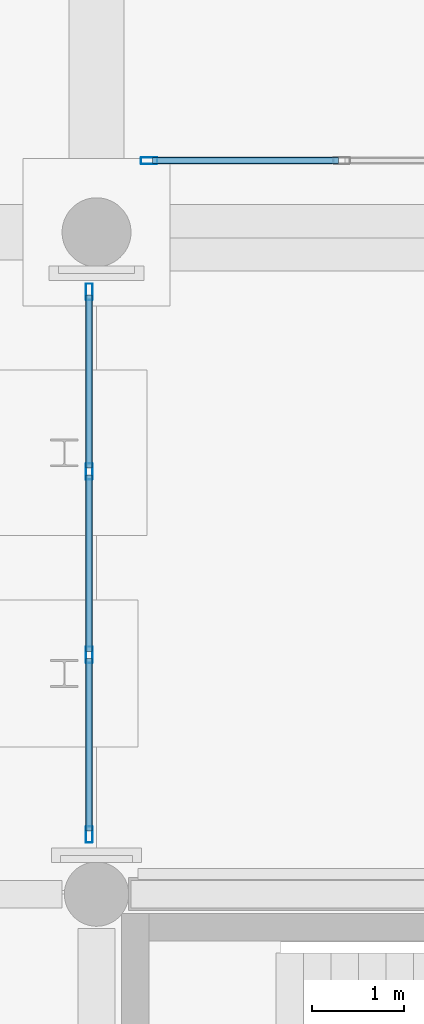
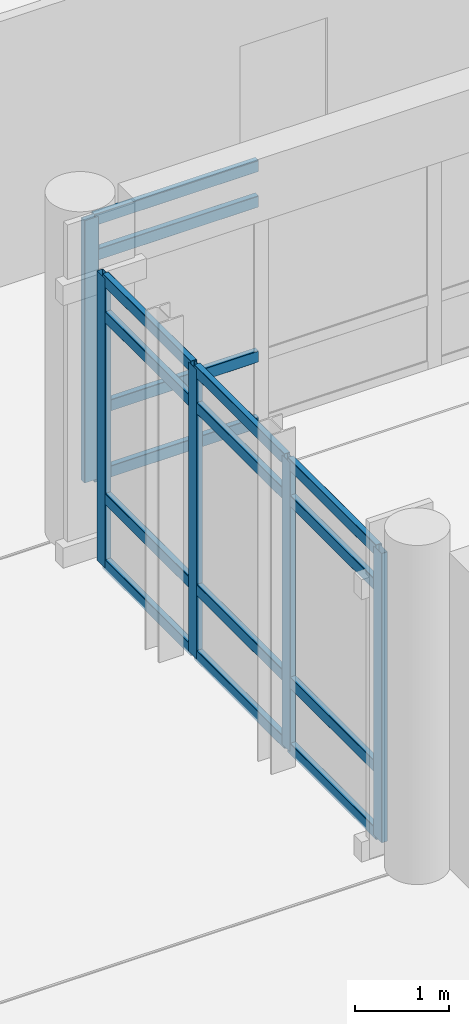
# One storey, part 88 of 196: 21 members, 2 elements without a shape of their own.
"""IFC4 building model written with IfcOpenShell, lengths in metres."""

from ifc_helpers import new_model, si_unit, direction, frame, origin, origin_2d, place, context, subcontext, project, spatial, hollow_rectangle, extrude, material, layer, layer_set, material_profile, profile_set, type_object, element, aggregate, save


model = new_model("IFC4")

# Units and contexts
model_context = context("Model", 3, precision=1e-05, world=origin(), true_north=direction((0.0, 1.0)))
body_context = subcontext(model_context, "Body", "Model", "MODEL_VIEW")
ifc_project = project(units=[si_unit("LENGTHUNIT", "METRE"), si_unit("AREAUNIT", "SQUARE_METRE"), si_unit("VOLUMEUNIT", "CUBIC_METRE"), si_unit("PLANEANGLEUNIT", "RADIAN"), si_unit("MASSUNIT", "GRAM", prefix="KILO")], contexts=[model_context])

# Site, building, storey
site_placement = place(None, origin())
site = spatial("IfcSite", under=ifc_project, at=site_placement, CompositionType="ELEMENT")
building_placement = place(site_placement, origin())
building = spatial("IfcBuilding", under=site, at=building_placement, Name="Asteropetra Specialist Clinic", CompositionType="ELEMENT")
storey_placement = place(building_placement, origin())
storey = spatial("IfcBuildingStorey", under=building, at=storey_placement, Name="L00", CompositionType="ELEMENT", Elevation=0.0)

# Curtain wall, members
ifc_material_1 = material(Name="Aluminium and low-E glass", Category="aluminium")
ifc_layer = layer(ifc_material_1, 0.135009765625)
ifc_layer_set = layer_set([ifc_layer], Name="Aluminium and low-E glass")
curtain_wall_type = type_object("IfcCurtainWallType", Name="CW-SYS-09", PredefinedType="USERDEFINED", material=ifc_layer_set)
curtain_wall_1_placement = place(storey_placement, origin())
curtain_wall_1 = element("IfcCurtainWall", 1, at=curtain_wall_1_placement, inside=storey, type_object=curtain_wall_type, Name="Curtain Wall CW-102", ObjectType="STICK GLAZED COLONNADE", PredefinedType="USERDEFINED")
ifc_material_2 = material(Name="Aluminium 6063-T6", Category="aluminium")
ifc_material_profile_1 = material_profile(ifc_material_2, hollow_rectangle(XDim=0.074951171875, YDim=0.179931640625, WallThickness=0.00390625, InnerFilletRadius=0.00390625, OuterFilletRadius=0.008056640625, at=origin_2d()), Name="MUL 180x75x4.0")
ifc_profile_set_1 = profile_set([ifc_material_profile_1], Name="Aluminium 6063-T6")
member_type_1 = type_object("IfcMemberType", Name="CWM-180x75", PredefinedType="MULLION", material=ifc_profile_set_1)
member_1_placement = place(storey_placement, frame((28.719970703125, 68.952392578125, 0.0), z_axis=(0.0, 0.0, 1.0), x_axis=(1.0, 0.0, 0.0)))
member_1 = element("IfcMember", 2, at=member_1_placement, type_object=member_type_1, Name="CW-102 mullion 1", PredefinedType="MULLION", context=body_context, shape_type="SweptSolid", body=[
    extrude(hollow_rectangle(XDim=0.074951171875, YDim=0.179931640625, WallThickness=0.00390625, InnerFilletRadius=0.00390625, OuterFilletRadius=0.008056640625, at=origin_2d()), origin(), (0.0, 0.0, 1.0), 3.77001953125),
])
member_2_placement = place(storey_placement, frame((28.719970703125, 66.99658203125, 0.0), z_axis=(0.0, 0.0, 1.0), x_axis=(1.0, 0.0, 0.0)))
member_2 = element("IfcMember", 3, at=member_2_placement, type_object=member_type_1, Name="CW-102 mullion 2", PredefinedType="MULLION", context=body_context, shape_type="SweptSolid", body=[
    extrude(hollow_rectangle(XDim=0.074951171875, YDim=0.179931640625, WallThickness=0.00390625, InnerFilletRadius=0.00390625, OuterFilletRadius=0.008056640625, at=origin_2d()), origin(), (0.0, 0.0, 1.0), 3.77001953125),
])
member_3_placement = place(storey_placement, frame((28.719970703125, 65.00341796875, 0.0), z_axis=(0.0, 0.0, 1.0), x_axis=(1.0, 0.0, 0.0)))
member_3 = element("IfcMember", 4, at=member_3_placement, type_object=member_type_1, Name="CW-102 mullion 3", PredefinedType="MULLION", context=body_context, shape_type="SweptSolid", body=[
    extrude(hollow_rectangle(XDim=0.074951171875, YDim=0.179931640625, WallThickness=0.00390625, InnerFilletRadius=0.00390625, OuterFilletRadius=0.008056640625, at=origin_2d()), origin(), (0.0, 0.0, 1.0), 3.77001953125),
])
member_4_placement = place(storey_placement, frame((28.719970703125, 63.047607421875, 0.0), z_axis=(0.0, 0.0, 1.0), x_axis=(1.0, 0.0, 0.0)))
member_4 = element("IfcMember", 5, at=member_4_placement, type_object=member_type_1, Name="CW-102 mullion 4", PredefinedType="MULLION", context=body_context, shape_type="SweptSolid", body=[
    extrude(hollow_rectangle(XDim=0.074951171875, YDim=0.179931640625, WallThickness=0.00390625, InnerFilletRadius=0.00390625, OuterFilletRadius=0.008056640625, at=origin_2d()), origin(), (0.0, 0.0, 1.0), 3.77001953125),
])

# Curtain wall, member
curtain_wall_2_placement = place(storey_placement, origin())
curtain_wall_2 = element("IfcCurtainWall", 6, at=curtain_wall_2_placement, inside=storey, type_object=curtain_wall_type, Name="Curtain Wall CW-183", ObjectType="STICK GLAZED COLONNADE", PredefinedType="USERDEFINED")
member_5_placement = place(storey_placement, frame((29.37255859375, 70.3798828125, 0.0), z_axis=(0.0, 0.0, 1.0), x_axis=(0.0, 1.0, 0.0)))
member_5 = element("IfcMember", 7, at=member_5_placement, type_object=member_type_1, Name="CW-183 mullion 1", PredefinedType="MULLION", context=body_context, shape_type="SweptSolid", body=[
    extrude(hollow_rectangle(XDim=0.074951171875, YDim=0.179931640625, WallThickness=0.00390625, InnerFilletRadius=0.00390625, OuterFilletRadius=0.008056640625, at=origin_2d()), origin(), (0.0, 0.0, 1.0), 3.419921875),
])

# Member
ifc_material_3 = material(Name="Aluminium 6063-T6", Category="aluminium")
ifc_material_profile_2 = material_profile(ifc_material_3, hollow_rectangle(XDim=0.074951171875, YDim=0.14990234375, WallThickness=0.00390625, InnerFilletRadius=0.00390625, OuterFilletRadius=0.008056640625, at=origin_2d()), Name="TRN 150x75x4.0")
ifc_profile_set_2 = profile_set([ifc_material_profile_2], Name="Aluminium 6063-T6")
member_type_2 = type_object("IfcMemberType", Name="CWT-150x75", PredefinedType="USERDEFINED", material=ifc_profile_set_2)
member_6_placement = place(storey_placement, frame((28.719970703125, 68.9150390625, 0.03759765625), z_axis=(0.0, -1.0, 0.0), x_axis=(1.0, 0.0, 0.0)))
member_6 = element("IfcMember", 8, at=member_6_placement, type_object=member_type_2, Name="CW-102 transom 1.1", ObjectType="TRANSOM", PredefinedType="USERDEFINED", context=body_context, shape_type="SweptSolid", body=[
    extrude(hollow_rectangle(XDim=0.074951171875, YDim=0.14990234375, WallThickness=0.00390625, InnerFilletRadius=0.00390625, OuterFilletRadius=0.008056640625, at=origin_2d()), origin(), (0.0, 0.0, 1.0), 1.880859375),
])

member_7_placement = place(storey_placement, frame((28.719970703125, 68.9150390625, 0.89990234375), z_axis=(0.0, -1.0, 0.0), x_axis=(1.0, 0.0, 0.0)))
member_7 = element("IfcMember", 9, at=member_7_placement, type_object=member_type_2, Name="CW-102 transom 1.2", ObjectType="TRANSOM", PredefinedType="USERDEFINED", context=body_context, shape_type="SweptSolid", body=[
    extrude(hollow_rectangle(XDim=0.074951171875, YDim=0.14990234375, WallThickness=0.00390625, InnerFilletRadius=0.00390625, OuterFilletRadius=0.008056640625, at=origin_2d()), origin(), (0.0, 0.0, 1.0), 1.880859375),
])

member_8_placement = place(storey_placement, frame((28.719970703125, 68.9150390625, 3.27001953125), z_axis=(0.0, -1.0, 0.0), x_axis=(1.0, 0.0, 0.0)))
member_8 = element("IfcMember", 10, at=member_8_placement, type_object=member_type_2, Name="CW-102 transom 1.3", ObjectType="TRANSOM", PredefinedType="USERDEFINED", context=body_context, shape_type="SweptSolid", body=[
    extrude(hollow_rectangle(XDim=0.074951171875, YDim=0.14990234375, WallThickness=0.00390625, InnerFilletRadius=0.00390625, OuterFilletRadius=0.008056640625, at=origin_2d()), origin(), (0.0, 0.0, 1.0), 1.880859375),
])

member_9_placement = place(storey_placement, frame((28.719970703125, 68.9150390625, 3.732421875), z_axis=(0.0, -1.0, 0.0), x_axis=(1.0, 0.0, 0.0)))
member_9 = element("IfcMember", 11, at=member_9_placement, type_object=member_type_2, Name="CW-102 transom 1.4", ObjectType="TRANSOM", PredefinedType="USERDEFINED", context=body_context, shape_type="SweptSolid", body=[
    extrude(hollow_rectangle(XDim=0.074951171875, YDim=0.14990234375, WallThickness=0.00390625, InnerFilletRadius=0.00390625, OuterFilletRadius=0.008056640625, at=origin_2d()), origin(), (0.0, 0.0, 1.0), 1.880859375),
])

member_10_placement = place(storey_placement, frame((28.719970703125, 66.959228515625, 0.03759765625), z_axis=(0.0, -1.0, 0.0), x_axis=(1.0, 0.0, 0.0)))
member_10 = element("IfcMember", 12, at=member_10_placement, type_object=member_type_2, Name="CW-102 transom 2.1", ObjectType="TRANSOM", PredefinedType="USERDEFINED", context=body_context, shape_type="SweptSolid", body=[
    extrude(hollow_rectangle(XDim=0.074951171875, YDim=0.14990234375, WallThickness=0.00390625, InnerFilletRadius=0.00390625, OuterFilletRadius=0.008056640625, at=origin_2d()), origin(), (0.0, 0.0, 1.0), 1.91845703125),
])

member_11_placement = place(storey_placement, frame((28.719970703125, 66.959228515625, 0.89990234375), z_axis=(0.0, -1.0, 0.0), x_axis=(1.0, 0.0, 0.0)))
member_11 = element("IfcMember", 13, at=member_11_placement, type_object=member_type_2, Name="CW-102 transom 2.2", ObjectType="TRANSOM", PredefinedType="USERDEFINED", context=body_context, shape_type="SweptSolid", body=[
    extrude(hollow_rectangle(XDim=0.074951171875, YDim=0.14990234375, WallThickness=0.00390625, InnerFilletRadius=0.00390625, OuterFilletRadius=0.008056640625, at=origin_2d()), origin(), (0.0, 0.0, 1.0), 1.91845703125),
])

member_12_placement = place(storey_placement, frame((28.719970703125, 66.959228515625, 3.27001953125), z_axis=(0.0, -1.0, 0.0), x_axis=(1.0, 0.0, 0.0)))
member_12 = element("IfcMember", 14, at=member_12_placement, type_object=member_type_2, Name="CW-102 transom 2.3", ObjectType="TRANSOM", PredefinedType="USERDEFINED", context=body_context, shape_type="SweptSolid", body=[
    extrude(hollow_rectangle(XDim=0.074951171875, YDim=0.14990234375, WallThickness=0.00390625, InnerFilletRadius=0.00390625, OuterFilletRadius=0.008056640625, at=origin_2d()), origin(), (0.0, 0.0, 1.0), 1.91845703125),
])

member_13_placement = place(storey_placement, frame((28.719970703125, 66.959228515625, 3.732421875), z_axis=(0.0, -1.0, 0.0), x_axis=(1.0, 0.0, 0.0)))
member_13 = element("IfcMember", 15, at=member_13_placement, type_object=member_type_2, Name="CW-102 transom 2.4", ObjectType="TRANSOM", PredefinedType="USERDEFINED", context=body_context, shape_type="SweptSolid", body=[
    extrude(hollow_rectangle(XDim=0.074951171875, YDim=0.14990234375, WallThickness=0.00390625, InnerFilletRadius=0.00390625, OuterFilletRadius=0.008056640625, at=origin_2d()), origin(), (0.0, 0.0, 1.0), 1.91845703125),
])

member_14_placement = place(storey_placement, frame((28.719970703125, 64.9658203125, 0.03759765625), z_axis=(0.0, -1.0, 0.0), x_axis=(1.0, 0.0, 0.0)))
member_14 = element("IfcMember", 16, at=member_14_placement, type_object=member_type_2, Name="CW-102 transom 3.1", ObjectType="TRANSOM", PredefinedType="USERDEFINED", context=body_context, shape_type="SweptSolid", body=[
    extrude(hollow_rectangle(XDim=0.074951171875, YDim=0.14990234375, WallThickness=0.00390625, InnerFilletRadius=0.00390625, OuterFilletRadius=0.008056640625, at=origin_2d()), origin(), (0.0, 0.0, 1.0), 1.880859375),
])

member_15_placement = place(storey_placement, frame((28.719970703125, 64.9658203125, 0.89990234375), z_axis=(0.0, -1.0, 0.0), x_axis=(1.0, 0.0, 0.0)))
member_15 = element("IfcMember", 17, at=member_15_placement, type_object=member_type_2, Name="CW-102 transom 3.2", ObjectType="TRANSOM", PredefinedType="USERDEFINED", context=body_context, shape_type="SweptSolid", body=[
    extrude(hollow_rectangle(XDim=0.074951171875, YDim=0.14990234375, WallThickness=0.00390625, InnerFilletRadius=0.00390625, OuterFilletRadius=0.008056640625, at=origin_2d()), origin(), (0.0, 0.0, 1.0), 1.880859375),
])

member_16_placement = place(storey_placement, frame((28.719970703125, 64.9658203125, 3.27001953125), z_axis=(0.0, -1.0, 0.0), x_axis=(1.0, 0.0, 0.0)))
member_16 = element("IfcMember", 18, at=member_16_placement, type_object=member_type_2, Name="CW-102 transom 3.3", ObjectType="TRANSOM", PredefinedType="USERDEFINED", context=body_context, shape_type="SweptSolid", body=[
    extrude(hollow_rectangle(XDim=0.074951171875, YDim=0.14990234375, WallThickness=0.00390625, InnerFilletRadius=0.00390625, OuterFilletRadius=0.008056640625, at=origin_2d()), origin(), (0.0, 0.0, 1.0), 1.880859375),
])

member_17_placement = place(storey_placement, frame((28.719970703125, 64.9658203125, 3.732421875), z_axis=(0.0, -1.0, 0.0), x_axis=(1.0, 0.0, 0.0)))
member_17 = element("IfcMember", 19, at=member_17_placement, type_object=member_type_2, Name="CW-102 transom 3.4", ObjectType="TRANSOM", PredefinedType="USERDEFINED", context=body_context, shape_type="SweptSolid", body=[
    extrude(hollow_rectangle(XDim=0.074951171875, YDim=0.14990234375, WallThickness=0.00390625, InnerFilletRadius=0.00390625, OuterFilletRadius=0.008056640625, at=origin_2d()), origin(), (0.0, 0.0, 1.0), 1.880859375),
])

aggregate(curtain_wall_1, [member_1, member_2, member_3, member_4, member_6, member_7, member_8, member_9, member_10, member_11, member_12, member_13, member_14, member_15, member_16, member_17])

member_18_placement = place(storey_placement, frame((29.409912109375, 70.3798828125, 0.03759765625), z_axis=(1.0, 0.0, 0.0), x_axis=(0.0, 1.0, 0.0)))
member_18 = element("IfcMember", 20, at=member_18_placement, type_object=member_type_2, Name="CW-183 transom 1.1", ObjectType="TRANSOM", PredefinedType="USERDEFINED", context=body_context, shape_type="SweptSolid", body=[
    extrude(hollow_rectangle(XDim=0.074951171875, YDim=0.14990234375, WallThickness=0.00390625, InnerFilletRadius=0.00390625, OuterFilletRadius=0.008056640625, at=origin_2d()), origin(), (0.0, 0.0, 1.0), 2.02001953125),
])

member_19_placement = place(storey_placement, frame((29.409912109375, 70.3798828125, 0.89990234375), z_axis=(1.0, 0.0, 0.0), x_axis=(0.0, 1.0, 0.0)))
member_19 = element("IfcMember", 21, at=member_19_placement, type_object=member_type_2, Name="CW-183 transom 1.2", ObjectType="TRANSOM", PredefinedType="USERDEFINED", context=body_context, shape_type="SweptSolid", body=[
    extrude(hollow_rectangle(XDim=0.074951171875, YDim=0.14990234375, WallThickness=0.00390625, InnerFilletRadius=0.00390625, OuterFilletRadius=0.008056640625, at=origin_2d()), origin(), (0.0, 0.0, 1.0), 2.02001953125),
])

member_20_placement = place(storey_placement, frame((29.409912109375, 70.3798828125, 2.919921875), z_axis=(1.0, 0.0, 0.0), x_axis=(0.0, 1.0, 0.0)))
member_20 = element("IfcMember", 22, at=member_20_placement, type_object=member_type_2, Name="CW-183 transom 1.3", ObjectType="TRANSOM", PredefinedType="USERDEFINED", context=body_context, shape_type="SweptSolid", body=[
    extrude(hollow_rectangle(XDim=0.074951171875, YDim=0.14990234375, WallThickness=0.00390625, InnerFilletRadius=0.00390625, OuterFilletRadius=0.008056640625, at=origin_2d()), origin(), (0.0, 0.0, 1.0), 2.02001953125),
])

member_21_placement = place(storey_placement, frame((29.409912109375, 70.3798828125, 3.382568359375), z_axis=(1.0, 0.0, 0.0), x_axis=(0.0, 1.0, 0.0)))
member_21 = element("IfcMember", 23, at=member_21_placement, type_object=member_type_2, Name="CW-183 transom 1.4", ObjectType="TRANSOM", PredefinedType="USERDEFINED", context=body_context, shape_type="SweptSolid", body=[
    extrude(hollow_rectangle(XDim=0.074951171875, YDim=0.14990234375, WallThickness=0.00390625, InnerFilletRadius=0.00390625, OuterFilletRadius=0.008056640625, at=origin_2d()), origin(), (0.0, 0.0, 1.0), 2.02001953125),
])

aggregate(curtain_wall_2, [member_5, member_18, member_19, member_20, member_21])

save(model, "model.ifc")
